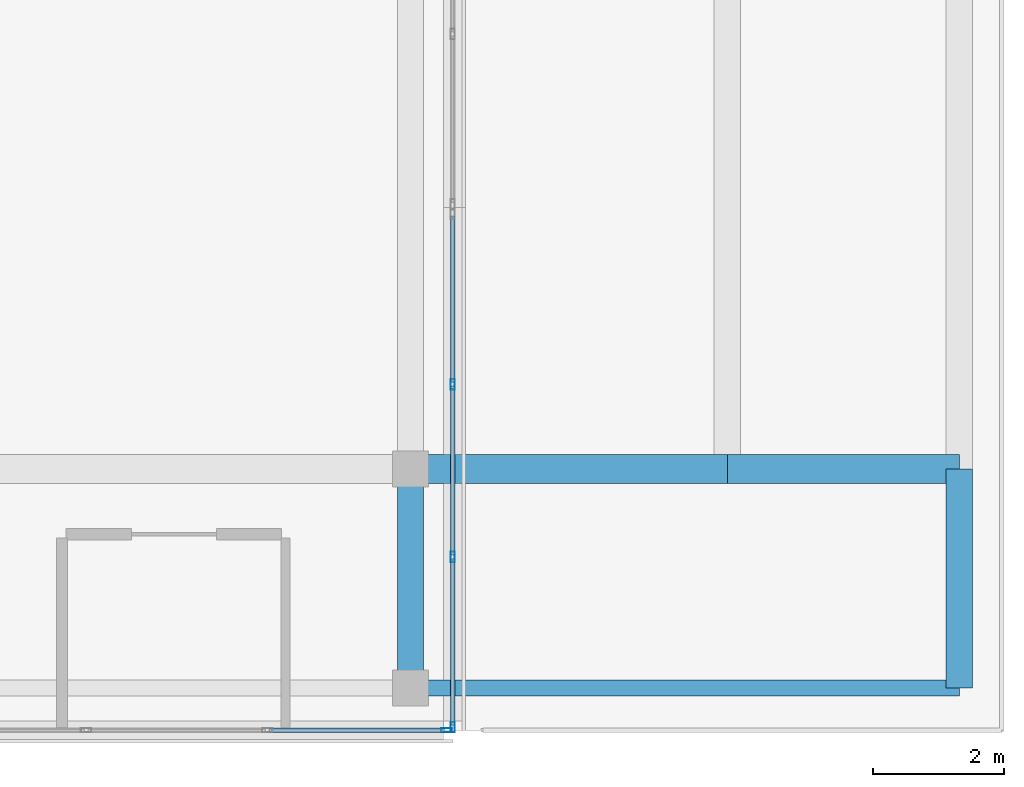
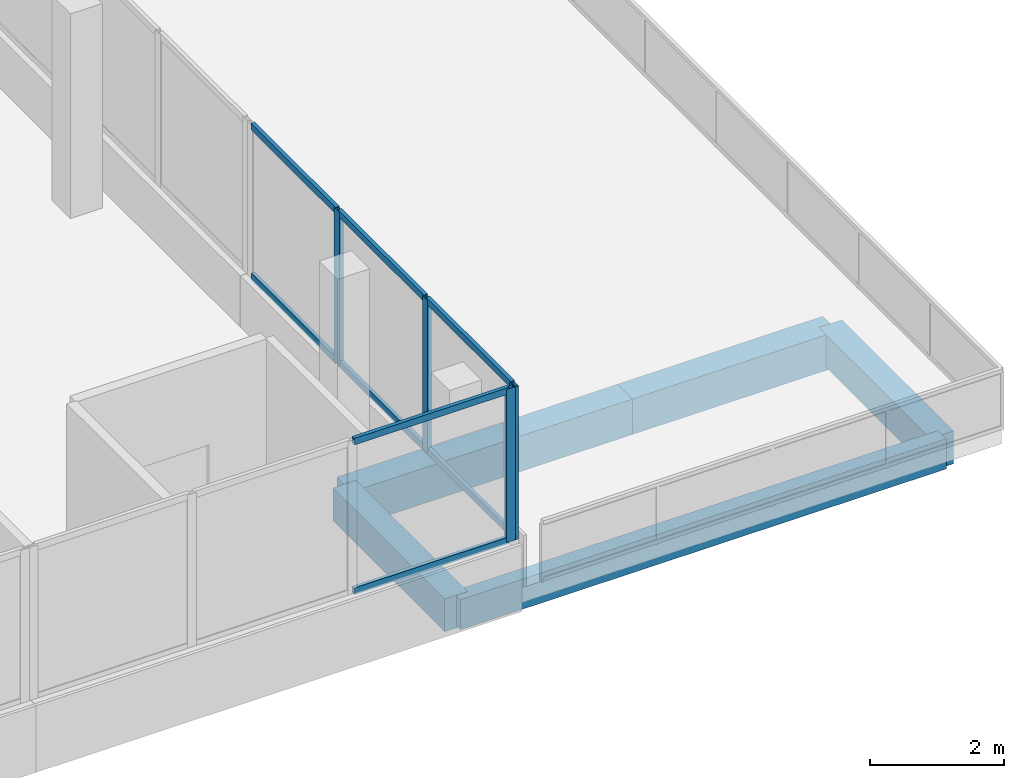
# One storey, part 45 of 67: 12 members, 5 beams, 2 elements without a shape of their own.
"""IFC4 building model written with IfcOpenShell, lengths in metres."""

from ifc_helpers import new_model, si_unit, direction, frame, origin, origin_2d, place, context, subcontext, project, spatial, rectangle, hollow_rectangle, extrude, material, material_profile, profile_set, type_object, element, aggregate, save


model = new_model("IFC4")

# Units and contexts
model_context = context("Model", 3, precision=1e-05, world=origin(), true_north=direction((0.0, 1.0)))
body_context = subcontext(model_context, "Body", "Model", "MODEL_VIEW")
ifc_project = project(units=[si_unit("LENGTHUNIT", "METRE"), si_unit("AREAUNIT", "SQUARE_METRE"), si_unit("VOLUMEUNIT", "CUBIC_METRE"), si_unit("PLANEANGLEUNIT", "RADIAN"), si_unit("MASSUNIT", "GRAM", prefix="KILO")], contexts=[model_context])

# Site, building, storey
site_placement = place(None, origin())
site = spatial("IfcSite", under=ifc_project, at=site_placement, CompositionType="ELEMENT")
building_placement = place(site_placement, origin())
building = spatial("IfcBuilding", under=site, at=building_placement, Name="Selatvlak General Hospital", CompositionType="ELEMENT")
storey_placement = place(building_placement, frame((0.0, 0.0, 35.39990234375)))
storey = spatial("IfcBuildingStorey", under=building, at=storey_placement, Name="L08", CompositionType="ELEMENT", Elevation=35.39990234375)

# Beams
ifc_material_1 = material(Name="Concrete C40/50", Category="concrete")
ifc_material_profile_1 = material_profile(ifc_material_1, rectangle(XDim=0.449951171875, YDim=0.64990234375, at=origin_2d()), Name="RC-BM 450x650")
ifc_profile_set_1 = profile_set([ifc_material_profile_1], Name="Concrete C40/50")
beam_type_1 = type_object("IfcBeamType", Name="BM-G04", PredefinedType="BEAM", material=ifc_profile_set_1)
beam_1_placement = place(storey_placement, frame((156.550048828125, 92.0, -0.596923828125), z_axis=(1.0, 0.0, 0.0), x_axis=(0.0, 1.0, 0.0)))
element("IfcBeam", 1, at=beam_1_placement, inside=storey, type_object=beam_type_1, Name="Beam BMR-L08-2584", PredefinedType="BEAM", context=body_context, shape_type="SweptSolid", body=[
    extrude(rectangle(XDim=0.449951171875, YDim=0.64990234375, at=origin_2d()), origin(), (0.0, 0.0, 1.0), 4.849853515625),
])
beam_2_placement = place(storey_placement, frame((161.39990234375, 92.0, -0.596923828125), z_axis=(1.0, 0.0, 0.0), x_axis=(0.0, 1.0, 0.0)))
element("IfcBeam", 2, at=beam_2_placement, inside=storey, type_object=beam_type_1, Name="Beam BMR-L08-2585", PredefinedType="BEAM", context=body_context, shape_type="SweptSolid", body=[
    extrude(rectangle(XDim=0.449951171875, YDim=0.64990234375, at=origin_2d()), origin(), (0.0, 0.0, 1.0), 3.550048828125),
])
ifc_material_profile_2 = material_profile(ifc_material_1, rectangle(XDim=0.39990234375, YDim=0.60009765625, at=origin_2d()), Name="RC-BM 400x600")
ifc_profile_set_2 = profile_set([ifc_material_profile_2], Name="Concrete C40/50")
beam_type_2 = type_object("IfcBeamType", Name="BM-G05", PredefinedType="BEAM", material=ifc_profile_set_2)
for number, where, z_axis, x_axis, name in (
    (3, (156.550048828125, 88.64990234375, -0.56494140625), (0.0, 1.0, 0.0), (-1.0, 0.0, 0.0), "Beam BMR-L08-2706"),
    (4, (164.949951171875, 88.64990234375, -0.572021484375), (0.0, 1.0, 0.0), (-1.0, 0.0, 0.0), "Beam BMR-L08-2711"),
):
    element("IfcBeam", number, at=place(storey_placement, frame(where, z_axis=z_axis, x_axis=x_axis)), inside=storey, type_object=beam_type_2, Name=name, PredefinedType="BEAM", context=body_context, shape_type="SweptSolid", body=[
        extrude(rectangle(XDim=0.39990234375, YDim=0.60009765625, at=origin_2d()), origin(), (0.0, 0.0, 1.0), 3.35009765625),
    ])
ifc_material_profile_3 = material_profile(ifc_material_1, rectangle(XDim=0.25, YDim=0.550048828125, at=origin_2d()), Name="RC-SP 250x550")
ifc_profile_set_3 = profile_set([ifc_material_profile_3], Name="Concrete C40/50")
beam_type_3 = type_object("IfcBeamType", Name="BM-SP2", PredefinedType="SPANDREL", material=ifc_profile_set_3)
beam_3_placement = place(storey_placement, frame((156.550048828125, 88.64990234375, -0.546875), z_axis=(1.0, 0.0, 0.0), x_axis=(0.0, 1.0, 0.0)))
element("IfcBeam", 5, at=beam_3_placement, inside=storey, type_object=beam_type_3, Name="Beam BMR-L08-2567", PredefinedType="SPANDREL", context=body_context, shape_type="SweptSolid", body=[
    extrude(rectangle(XDim=0.25, YDim=0.550048828125, at=origin_2d()), origin(), (0.0, 0.0, 1.0), 8.39990234375),
])

# Curtain wall, members
ifc_material_2 = material(Name="Solar-control Low-E double glazing", Category="glass")
curtain_wall_type_1 = type_object("IfcCurtainWallType", Name="CW-CW-01", PredefinedType="USERDEFINED", material=ifc_material_2)
curtain_wall_1_placement = place(storey_placement, origin())
curtain_wall_1 = element("IfcCurtainWall", 6, at=curtain_wall_1_placement, inside=storey, type_object=curtain_wall_type_1, Name="Glazed facade curtain wall CW-L08-0700", ObjectType="UNITISED CURTAIN WALL", PredefinedType="USERDEFINED")
ifc_material_3 = material(Name="Dark anodised aluminium mullion", Category="aluminium")
ifc_material_profile_4 = material_profile(ifc_material_3, hollow_rectangle(XDim=0.06494140625, YDim=0.159912109375, WallThickness=0.00390625, at=origin_2d()), Name="AL-MUL 65x160x4")
ifc_profile_set_4 = profile_set([ifc_material_profile_4], Name="Dark anodised aluminium mullion")
member_type_1 = type_object("IfcMemberType", Name="CWM-01", PredefinedType="MULLION", material=ifc_profile_set_4)
member_1_placement = place(storey_placement, frame((157.199951171875, 93.2958984375, 0.940185546875), z_axis=(0.0, 0.0, 1.0), x_axis=(1.0, 0.0, 0.0)))
member_1 = element("IfcMember", 7, at=member_1_placement, type_object=member_type_1, Name="CW-01 mullion 2", PredefinedType="MULLION", context=body_context, shape_type="SweptSolid", body=[
    extrude(hollow_rectangle(XDim=0.06494140625, YDim=0.159912109375, WallThickness=0.00390625, at=origin_2d()), origin(), (0.0, 0.0, 1.0), 2.7998046875),
])
member_2_placement = place(storey_placement, frame((157.199951171875, 90.656005859375, 0.940185546875), z_axis=(0.0, 0.0, 1.0), x_axis=(1.0, 0.0, 0.0)))
member_2 = element("IfcMember", 8, at=member_2_placement, type_object=member_type_1, Name="CW-01 mullion 3", PredefinedType="MULLION", context=body_context, shape_type="SweptSolid", body=[
    extrude(hollow_rectangle(XDim=0.06494140625, YDim=0.159912109375, WallThickness=0.00390625, at=origin_2d()), origin(), (0.0, 0.0, 1.0), 2.7998046875),
])
member_3_placement = place(storey_placement, frame((157.199951171875, 88.048583984375, 0.940185546875), z_axis=(0.0, 0.0, 1.0), x_axis=(1.0, 0.0, 0.0)))
member_3 = element("IfcMember", 9, at=member_3_placement, type_object=member_type_1, Name="CW-01 mullion 4", PredefinedType="MULLION", context=body_context, shape_type="SweptSolid", body=[
    extrude(hollow_rectangle(XDim=0.06494140625, YDim=0.159912109375, WallThickness=0.00390625, at=origin_2d()), origin(), (0.0, 0.0, 1.0), 2.7998046875),
])

# Curtain wall, member
curtain_wall_type_2 = type_object("IfcCurtainWallType", Name="CW-CW-02", PredefinedType="USERDEFINED", material=ifc_material_2)
curtain_wall_2_placement = place(storey_placement, origin())
curtain_wall_2 = element("IfcCurtainWall", 10, at=curtain_wall_2_placement, inside=storey, type_object=curtain_wall_type_2, Name="Glazed facade curtain wall CW-L08-0701", ObjectType="UNITISED CURTAIN WALL", PredefinedType="USERDEFINED")
member_4_placement = place(storey_placement, frame((157.1025390625, 88.0009765625, 0.940185546875), z_axis=(0.0, 0.0, 1.0), x_axis=(0.0, -1.0, 0.0)))
member_4 = element("IfcMember", 11, at=member_4_placement, type_object=member_type_1, Name="CW-02 mullion 1", PredefinedType="MULLION", context=body_context, shape_type="SweptSolid", body=[
    extrude(hollow_rectangle(XDim=0.06494140625, YDim=0.159912109375, WallThickness=0.00390625, at=origin_2d()), origin(), (0.0, 0.0, 1.0), 2.7998046875),
])

# Member
ifc_material_profile_5 = material_profile(ifc_material_3, hollow_rectangle(XDim=0.06494140625, YDim=0.1201171875, WallThickness=0.00390625, at=origin_2d()), Name="AL-TRN 65x120x4")
ifc_profile_set_5 = profile_set([ifc_material_profile_5], Name="Dark anodised aluminium mullion")
member_type_2 = type_object("IfcMemberType", Name="CWT-01", PredefinedType="USERDEFINED", material=ifc_profile_set_5)
member_5_placement = place(storey_placement, frame((157.199951171875, 95.87109375, 0.97265625), z_axis=(0.0, -1.0, 0.0), x_axis=(1.0, 0.0, 0.0)))
member_5 = element("IfcMember", 12, at=member_5_placement, type_object=member_type_2, Name="CW-01 transom 1.1", ObjectType="TRANSOM", PredefinedType="USERDEFINED", context=body_context, shape_type="SweptSolid", body=[
    extrude(hollow_rectangle(XDim=0.06494140625, YDim=0.1201171875, WallThickness=0.00390625, at=origin_2d()), origin(), (0.0, 0.0, 1.0), 2.54248046875),
])

member_6_placement = place(storey_placement, frame((157.199951171875, 95.87109375, 3.70751953125), z_axis=(0.0, -1.0, 0.0), x_axis=(1.0, 0.0, 0.0)))
member_6 = element("IfcMember", 13, at=member_6_placement, type_object=member_type_2, Name="CW-01 transom 1.2", ObjectType="TRANSOM", PredefinedType="USERDEFINED", context=body_context, shape_type="SweptSolid", body=[
    extrude(hollow_rectangle(XDim=0.06494140625, YDim=0.1201171875, WallThickness=0.00390625, at=origin_2d()), origin(), (0.0, 0.0, 1.0), 2.54248046875),
])

member_7_placement = place(storey_placement, frame((157.199951171875, 93.263427734375, 0.97265625), z_axis=(0.0, -1.0, 0.0), x_axis=(1.0, 0.0, 0.0)))
member_7 = element("IfcMember", 14, at=member_7_placement, type_object=member_type_2, Name="CW-01 transom 2.1", ObjectType="TRANSOM", PredefinedType="USERDEFINED", context=body_context, shape_type="SweptSolid", body=[
    extrude(hollow_rectangle(XDim=0.06494140625, YDim=0.1201171875, WallThickness=0.00390625, at=origin_2d()), origin(), (0.0, 0.0, 1.0), 2.574951171875),
])

member_8_placement = place(storey_placement, frame((157.199951171875, 93.263427734375, 3.70751953125), z_axis=(0.0, -1.0, 0.0), x_axis=(1.0, 0.0, 0.0)))
member_8 = element("IfcMember", 15, at=member_8_placement, type_object=member_type_2, Name="CW-01 transom 2.2", ObjectType="TRANSOM", PredefinedType="USERDEFINED", context=body_context, shape_type="SweptSolid", body=[
    extrude(hollow_rectangle(XDim=0.06494140625, YDim=0.1201171875, WallThickness=0.00390625, at=origin_2d()), origin(), (0.0, 0.0, 1.0), 2.574951171875),
])

member_9_placement = place(storey_placement, frame((157.199951171875, 90.62353515625, 0.97265625), z_axis=(0.0, -1.0, 0.0), x_axis=(1.0, 0.0, 0.0)))
member_9 = element("IfcMember", 16, at=member_9_placement, type_object=member_type_2, Name="CW-01 transom 3.1", ObjectType="TRANSOM", PredefinedType="USERDEFINED", context=body_context, shape_type="SweptSolid", body=[
    extrude(hollow_rectangle(XDim=0.06494140625, YDim=0.1201171875, WallThickness=0.00390625, at=origin_2d()), origin(), (0.0, 0.0, 1.0), 2.54248046875),
])

member_10_placement = place(storey_placement, frame((157.199951171875, 90.62353515625, 3.70751953125), z_axis=(0.0, -1.0, 0.0), x_axis=(1.0, 0.0, 0.0)))
member_10 = element("IfcMember", 17, at=member_10_placement, type_object=member_type_2, Name="CW-01 transom 3.2", ObjectType="TRANSOM", PredefinedType="USERDEFINED", context=body_context, shape_type="SweptSolid", body=[
    extrude(hollow_rectangle(XDim=0.06494140625, YDim=0.1201171875, WallThickness=0.00390625, at=origin_2d()), origin(), (0.0, 0.0, 1.0), 2.54248046875),
])

aggregate(curtain_wall_1, [member_1, member_2, member_3, member_5, member_6, member_7, member_8, member_9, member_10])

member_11_placement = place(storey_placement, frame((157.070068359375, 88.0009765625, 0.97265625), z_axis=(-1.0, 0.0, 0.0), x_axis=(0.0, -1.0, 0.0)))
member_11 = element("IfcMember", 18, at=member_11_placement, type_object=member_type_2, Name="CW-02 transom 1.1", ObjectType="TRANSOM", PredefinedType="USERDEFINED", context=body_context, shape_type="SweptSolid", body=[
    extrude(hollow_rectangle(XDim=0.06494140625, YDim=0.1201171875, WallThickness=0.00390625, at=origin_2d()), origin(), (0.0, 0.0, 1.0), 2.67578125),
])

member_12_placement = place(storey_placement, frame((157.070068359375, 88.0009765625, 3.70751953125), z_axis=(-1.0, 0.0, 0.0), x_axis=(0.0, -1.0, 0.0)))
member_12 = element("IfcMember", 19, at=member_12_placement, type_object=member_type_2, Name="CW-02 transom 1.2", ObjectType="TRANSOM", PredefinedType="USERDEFINED", context=body_context, shape_type="SweptSolid", body=[
    extrude(hollow_rectangle(XDim=0.06494140625, YDim=0.1201171875, WallThickness=0.00390625, at=origin_2d()), origin(), (0.0, 0.0, 1.0), 2.67578125),
])

aggregate(curtain_wall_2, [member_4, member_11, member_12])

save(model, "model.ifc")
